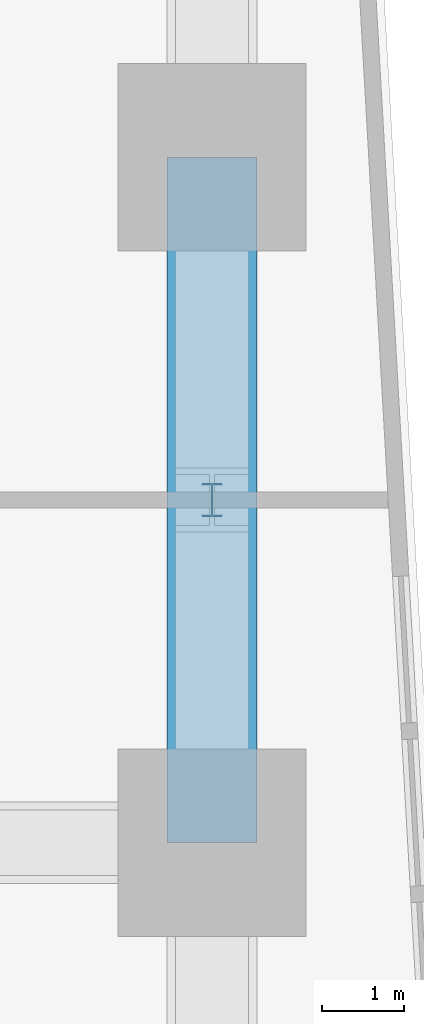
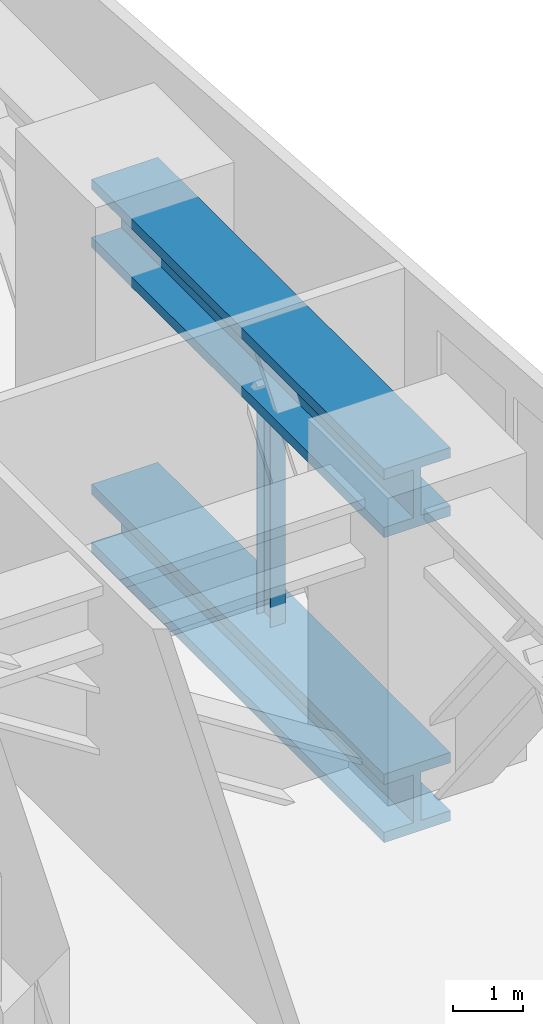
# One storey, part 5 of 16: 3 members.
"""IFC4 building model written with IfcOpenShell, lengths in metres."""

from ifc_helpers import new_model, si_unit, direction, frame, origin, origin_2d, place, context, subcontext, project, spatial, i_section, extrude, material, material_profile, profile_set, type_object, element, save


model = new_model("IFC4")

# Units and contexts
model_context = context("Model", 3, precision=1e-05, world=origin(), true_north=direction((0.0, 1.0)))
body_context = subcontext(model_context, "Body", "Model", "MODEL_VIEW")
ifc_project = project(units=[si_unit("LENGTHUNIT", "METRE"), si_unit("AREAUNIT", "SQUARE_METRE"), si_unit("VOLUMEUNIT", "CUBIC_METRE"), si_unit("PLANEANGLEUNIT", "RADIAN"), si_unit("MASSUNIT", "GRAM", prefix="KILO")], contexts=[model_context])

# Site, building, storey
site_placement = place(None, origin())
site = spatial("IfcSite", under=ifc_project, at=site_placement, CompositionType="ELEMENT")
building_placement = place(site_placement, origin())
building = spatial("IfcBuilding", under=site, at=building_placement, Name="Rekha Terrace Tower", CompositionType="ELEMENT")
storey_placement = place(building_placement, frame((0.0, 0.0, 240.199951171875)))
storey = spatial("IfcBuildingStorey", under=building, at=storey_placement, Name="L61", CompositionType="ELEMENT", Elevation=240.199951171875)

# Members
ifc_material = material(Name="Steel E350", Category="steel")
ifc_material_profile_1 = material_profile(ifc_material, i_section(OverallWidth=1.10009765625, OverallDepth=1.199951171875, WebThickness=0.1201171875, FlangeThickness=0.179931640625, at=origin_2d()), Name="BU 1200x1100x120x180")
ifc_profile_set_1 = profile_set([ifc_material_profile_1], Name="Steel E350")
member_type_1 = type_object("IfcMemberType", Name="BC61 BU 1200x1100x120x180 belt truss chord", PredefinedType="CHORD", material=ifc_profile_set_1)
for number, where, z_axis, x_axis, name in (
    (1, (58.800048828125, 42.0, 4.400146484375), (0.0, 1.0, 0.0), (-1.0, 0.0, 0.0), "Belt top chord 8F-8G L61"),
    (2, (58.800048828125, 42.0, -0.949951171875), (0.0, 1.0, 0.0), (-1.0, 0.0, 0.0), "Belt bottom chord 8F-8G L61"),
):
    element("IfcMember", number, at=place(storey_placement, frame(where, z_axis=z_axis, x_axis=x_axis)), inside=storey, type_object=member_type_1, Name=name, PredefinedType="CHORD", context=body_context, shape_type="SweptSolid", body=[
        extrude(i_section(OverallWidth=1.10009765625, OverallDepth=1.199951171875, WebThickness=0.1201171875, FlangeThickness=0.179931640625, at=origin_2d()), origin(), (0.0, 0.0, 1.0), 8.39990234375),
    ])
ifc_material_profile_2 = material_profile(ifc_material, i_section(OverallWidth=0.25, OverallDepth=0.39990234375, WebThickness=0.010498046875, FlangeThickness=0.01611328125, FilletRadius=0.013916015625, at=origin_2d()), Name="ISHB 400")
ifc_profile_set_2 = profile_set([ifc_material_profile_2], Name="Steel E350")
member_type_2 = type_object("IfcMemberType", Name="BV61 ISHB 400 belt truss post", PredefinedType="POST", material=ifc_profile_set_2)
member_placement = place(storey_placement, frame((58.800048828125, 46.199951171875, -0.349853515625), z_axis=(0.0, 0.0, 1.0), x_axis=(1.0, 0.0, 0.0)))
element("IfcMember", 3, at=member_placement, inside=storey, type_object=member_type_2, Name="Belt post 8F-8G L61", PredefinedType="POST", context=body_context, shape_type="SweptSolid", body=[
    extrude(i_section(OverallWidth=0.25, OverallDepth=0.39990234375, WebThickness=0.010498046875, FlangeThickness=0.01611328125, FilletRadius=0.013916015625, at=origin_2d()), origin(), (0.0, 0.0, 1.0), 4.14990234375),
])

save(model, "model.ifc")
